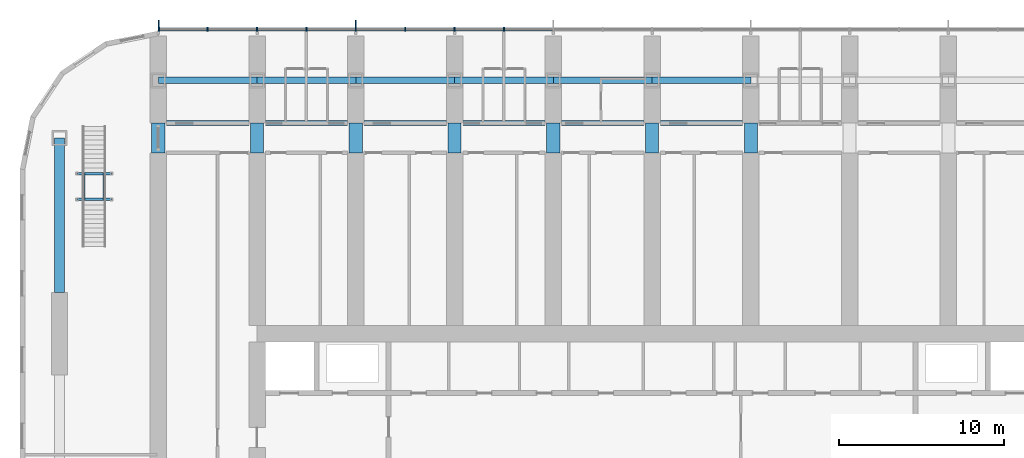
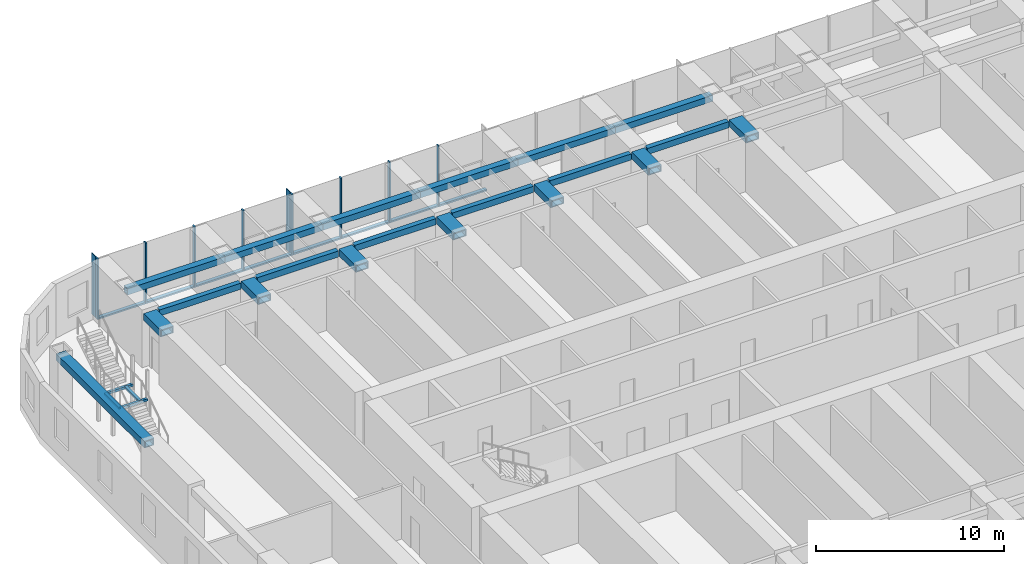
# One storey, part 6 of 26: 24 beams, 18 members, 1 element without a shape of its own.
"""IFC4 building model written with IfcOpenShell, lengths in metres."""

from ifc_helpers import new_model, si_unit, direction, frame, origin, origin_2d, place, context, subcontext, project, spatial, rectangle, hollow_rectangle, extrude, material, material_profile, profile_set, type_object, element, aggregate, save


model = new_model("IFC4")

# Units and contexts
model_context = context("Model", 3, precision=1e-05, world=origin(), true_north=direction((0.0, 1.0)))
body_context = subcontext(model_context, "Body", "Model", "MODEL_VIEW")
ifc_project = project(units=[si_unit("LENGTHUNIT", "METRE"), si_unit("AREAUNIT", "SQUARE_METRE"), si_unit("VOLUMEUNIT", "CUBIC_METRE"), si_unit("PLANEANGLEUNIT", "RADIAN"), si_unit("MASSUNIT", "GRAM", prefix="KILO")], contexts=[model_context])

# Site, building, storey
site_placement = place(None, origin())
site = spatial("IfcSite", under=ifc_project, at=site_placement, CompositionType="ELEMENT")
building_placement = place(site_placement, origin())
building = spatial("IfcBuilding", under=site, at=building_placement, Name="Orbita Commons", CompositionType="ELEMENT")
storey_placement = place(building_placement, frame((0.0, 0.0, 53.949951171875)))
storey = spatial("IfcBuildingStorey", under=building, at=storey_placement, Name="L13", CompositionType="ELEMENT", Elevation=53.949951171875)

# Curtain wall, members
ifc_material_1 = material(Name="Anodised aluminium frame, pale silver", Category="aluminium")
curtain_wall_type = type_object("IfcCurtainWallType", Name="Unitised curtain wall CW-T, vision and spandrel", PredefinedType="NOTDEFINED", material=ifc_material_1)
curtain_wall_placement = place(storey_placement, origin())
curtain_wall = element("IfcCurtainWall", 1, at=curtain_wall_placement, inside=storey, type_object=curtain_wall_type, Name="Curtain wall north L13", PredefinedType="NOTDEFINED")
ifc_material_2 = material(Name="Anodised aluminium, pale silver", Category="aluminium")
ifc_material_profile_1 = material_profile(ifc_material_2, rectangle(XDim=0.080078125, YDim=0.219970703125, at=origin_2d()), Name="AL 80x220")
ifc_profile_set_1 = profile_set([ifc_material_profile_1], Name="Anodised aluminium, pale silver")
member_type_1 = type_object("IfcMemberType", Name="Curtain wall mullion 80x220", PredefinedType="MULLION", material=ifc_profile_set_1)
member_1_placement = place(storey_placement, frame((33.0, 56.7099609375, -0.449951171875), z_axis=(0.0, 0.0, 1.0), x_axis=(-1.0, 0.0, 0.0)))
member_1 = element("IfcMember", 2, at=member_1_placement, type_object=member_type_1, Name="Mullion 14 CW-L13-N", PredefinedType="MULLION", context=body_context, shape_type="SweptSolid", body=[
    extrude(rectangle(XDim=0.080078125, YDim=0.219970703125, at=origin_2d()), origin(), (0.0, 0.0, 1.0), 3.949951171875),
])
member_2_placement = place(storey_placement, frame((30.0, 56.7099609375, -0.449951171875), z_axis=(0.0, 0.0, 1.0), x_axis=(-1.0, 0.0, 0.0)))
member_2 = element("IfcMember", 3, at=member_2_placement, type_object=member_type_1, Name="Mullion 15 CW-L13-N", PredefinedType="MULLION", context=body_context, shape_type="SweptSolid", body=[
    extrude(rectangle(XDim=0.080078125, YDim=0.219970703125, at=origin_2d()), origin(), (0.0, 0.0, 1.0), 3.949951171875),
])
member_3_placement = place(storey_placement, frame((27.0, 56.7099609375, -0.449951171875), z_axis=(0.0, 0.0, 1.0), x_axis=(-1.0, 0.0, 0.0)))
member_3 = element("IfcMember", 4, at=member_3_placement, type_object=member_type_1, Name="Mullion 16 CW-L13-N", PredefinedType="MULLION", context=body_context, shape_type="SweptSolid", body=[
    extrude(rectangle(XDim=0.080078125, YDim=0.219970703125, at=origin_2d()), origin(), (0.0, 0.0, 1.0), 3.949951171875),
])
member_4_placement = place(storey_placement, frame((24.0, 56.7099609375, -0.449951171875), z_axis=(0.0, 0.0, 1.0), x_axis=(-1.0, 0.0, 0.0)))
member_4 = element("IfcMember", 5, at=member_4_placement, type_object=member_type_1, Name="Mullion 17 CW-L13-N", PredefinedType="MULLION", context=body_context, shape_type="SweptSolid", body=[
    extrude(rectangle(XDim=0.080078125, YDim=0.219970703125, at=origin_2d()), origin(), (0.0, 0.0, 1.0), 3.949951171875),
])
member_5_placement = place(storey_placement, frame((21.0, 56.7099609375, -0.449951171875), z_axis=(0.0, 0.0, 1.0), x_axis=(-1.0, 0.0, 0.0)))
member_5 = element("IfcMember", 6, at=member_5_placement, type_object=member_type_1, Name="Mullion 18 CW-L13-N", PredefinedType="MULLION", context=body_context, shape_type="SweptSolid", body=[
    extrude(rectangle(XDim=0.080078125, YDim=0.219970703125, at=origin_2d()), origin(), (0.0, 0.0, 1.0), 3.949951171875),
])
member_6_placement = place(storey_placement, frame((18.0, 56.7099609375, -0.449951171875), z_axis=(0.0, 0.0, 1.0), x_axis=(-1.0, 0.0, 0.0)))
member_6 = element("IfcMember", 7, at=member_6_placement, type_object=member_type_1, Name="Mullion 19 CW-L13-N", PredefinedType="MULLION", context=body_context, shape_type="SweptSolid", body=[
    extrude(rectangle(XDim=0.080078125, YDim=0.219970703125, at=origin_2d()), origin(), (0.0, 0.0, 1.0), 3.949951171875),
])
member_7_placement = place(storey_placement, frame((15.0, 56.7099609375, -0.449951171875), z_axis=(0.0, 0.0, 1.0), x_axis=(-1.0, 0.0, 0.0)))
member_7 = element("IfcMember", 8, at=member_7_placement, type_object=member_type_1, Name="Mullion 20 CW-L13-N", PredefinedType="MULLION", context=body_context, shape_type="SweptSolid", body=[
    extrude(rectangle(XDim=0.080078125, YDim=0.219970703125, at=origin_2d()), origin(), (0.0, 0.0, 1.0), 3.949951171875),
])
member_8_placement = place(storey_placement, frame((12.0400390625, 56.7099609375, -0.449951171875), z_axis=(0.0, 0.0, 1.0), x_axis=(-1.0, 0.0, 0.0)))
member_8 = element("IfcMember", 9, at=member_8_placement, type_object=member_type_1, Name="Mullion 21 CW-L13-N", PredefinedType="MULLION", context=body_context, shape_type="SweptSolid", body=[
    extrude(rectangle(XDim=0.080078125, YDim=0.219970703125, at=origin_2d()), origin(), (0.0, 0.0, 1.0), 3.949951171875),
])
ifc_material_3 = material(Name="Anodised aluminium, pale silver", Category="aluminium")
ifc_material_profile_2 = material_profile(ifc_material_3, rectangle(XDim=0.219970703125, YDim=0.10009765625, at=origin_2d()), Name="AL 220x100")
ifc_profile_set_2 = profile_set([ifc_material_profile_2], Name="Anodised aluminium, pale silver")
member_type_2 = type_object("IfcMemberType", Name="Curtain wall stack transom 220x100", PredefinedType="USERDEFINED", material=ifc_profile_set_2)
member_9_placement = place(storey_placement, frame((35.9599609375, 56.7099609375, -0.39990234375), z_axis=(-1.0, 0.0, 0.0), x_axis=(0.0, -1.0, 0.0)))
member_9 = element("IfcMember", 10, at=member_9_placement, type_object=member_type_2, Name="Transom 13.1 CW-L13-N", ObjectType="TRANSOM", PredefinedType="USERDEFINED", context=body_context, shape_type="SweptSolid", body=[
    extrude(rectangle(XDim=0.219970703125, YDim=0.10009765625, at=origin_2d()), origin(), (0.0, 0.0, 1.0), 2.919921875),
])
member_10_placement = place(storey_placement, frame((32.9599609375, 56.7099609375, -0.39990234375), z_axis=(-1.0, 0.0, 0.0), x_axis=(0.0, -1.0, 0.0)))
member_10 = element("IfcMember", 11, at=member_10_placement, type_object=member_type_2, Name="Transom 14.1 CW-L13-N", ObjectType="TRANSOM", PredefinedType="USERDEFINED", context=body_context, shape_type="SweptSolid", body=[
    extrude(rectangle(XDim=0.219970703125, YDim=0.10009765625, at=origin_2d()), origin(), (0.0, 0.0, 1.0), 2.919921875),
])
member_11_placement = place(storey_placement, frame((29.9599609375, 56.7099609375, -0.39990234375), z_axis=(-1.0, 0.0, 0.0), x_axis=(0.0, -1.0, 0.0)))
member_11 = element("IfcMember", 12, at=member_11_placement, type_object=member_type_2, Name="Transom 15.1 CW-L13-N", ObjectType="TRANSOM", PredefinedType="USERDEFINED", context=body_context, shape_type="SweptSolid", body=[
    extrude(rectangle(XDim=0.219970703125, YDim=0.10009765625, at=origin_2d()), origin(), (0.0, 0.0, 1.0), 2.919921875),
])
member_12_placement = place(storey_placement, frame((26.9599609375, 56.7099609375, -0.39990234375), z_axis=(-1.0, 0.0, 0.0), x_axis=(0.0, -1.0, 0.0)))
member_12 = element("IfcMember", 13, at=member_12_placement, type_object=member_type_2, Name="Transom 16.1 CW-L13-N", ObjectType="TRANSOM", PredefinedType="USERDEFINED", context=body_context, shape_type="SweptSolid", body=[
    extrude(rectangle(XDim=0.219970703125, YDim=0.10009765625, at=origin_2d()), origin(), (0.0, 0.0, 1.0), 2.919921875),
])
member_13_placement = place(storey_placement, frame((23.9599609375, 56.7099609375, -0.39990234375), z_axis=(-1.0, 0.0, 0.0), x_axis=(0.0, -1.0, 0.0)))
member_13 = element("IfcMember", 14, at=member_13_placement, type_object=member_type_2, Name="Transom 17.1 CW-L13-N", ObjectType="TRANSOM", PredefinedType="USERDEFINED", context=body_context, shape_type="SweptSolid", body=[
    extrude(rectangle(XDim=0.219970703125, YDim=0.10009765625, at=origin_2d()), origin(), (0.0, 0.0, 1.0), 2.919921875),
])
member_14_placement = place(storey_placement, frame((20.9599609375, 56.7099609375, -0.39990234375), z_axis=(-1.0, 0.0, 0.0), x_axis=(0.0, -1.0, 0.0)))
member_14 = element("IfcMember", 15, at=member_14_placement, type_object=member_type_2, Name="Transom 18.1 CW-L13-N", ObjectType="TRANSOM", PredefinedType="USERDEFINED", context=body_context, shape_type="SweptSolid", body=[
    extrude(rectangle(XDim=0.219970703125, YDim=0.10009765625, at=origin_2d()), origin(), (0.0, 0.0, 1.0), 2.919921875),
])
member_15_placement = place(storey_placement, frame((17.9599609375, 56.7099609375, -0.39990234375), z_axis=(-1.0, 0.0, 0.0), x_axis=(0.0, -1.0, 0.0)))
member_15 = element("IfcMember", 16, at=member_15_placement, type_object=member_type_2, Name="Transom 19.1 CW-L13-N", ObjectType="TRANSOM", PredefinedType="USERDEFINED", context=body_context, shape_type="SweptSolid", body=[
    extrude(rectangle(XDim=0.219970703125, YDim=0.10009765625, at=origin_2d()), origin(), (0.0, 0.0, 1.0), 2.919921875),
])
member_16_placement = place(storey_placement, frame((14.9599609375, 56.7099609375, -0.39990234375), z_axis=(-1.0, 0.0, 0.0), x_axis=(0.0, -1.0, 0.0)))
member_16 = element("IfcMember", 17, at=member_16_placement, type_object=member_type_2, Name="Transom 20.1 CW-L13-N", ObjectType="TRANSOM", PredefinedType="USERDEFINED", context=body_context, shape_type="SweptSolid", body=[
    extrude(rectangle(XDim=0.219970703125, YDim=0.10009765625, at=origin_2d()), origin(), (0.0, 0.0, 1.0), 2.8798828125),
])

# Beams
ifc_material_4 = material(Name="Steel ASTM A992", Category="steel")
ifc_material_profile_3 = material_profile(ifc_material_4, hollow_rectangle(XDim=0.14990234375, YDim=0.14990234375, WallThickness=0.008056640625, at=origin_2d()), Name="SHS 150x150x8")
ifc_profile_set_3 = profile_set([ifc_material_profile_3], Name="Steel ASTM A992")
beam_type_1 = type_object("IfcBeamType", Name="Landing frame beam SHS 150x150x8", PredefinedType="BEAM", material=ifc_profile_set_3)
for number, where, z_axis, x_axis, name in (
    (18, (7.050048828125, 46.375, 1.60009765625), (1.0, 0.0, 0.0), (0.0, 1.0, 0.0), "Neighbourhood stair L13 to L14 landing frame beam 1"),
    (19, (7.050048828125, 47.93505859375, 1.60009765625), (1.0, 0.0, 0.0), (0.0, 1.0, 0.0), "Neighbourhood stair L13 to L14 landing frame beam 2"),
):
    element("IfcBeam", number, at=place(storey_placement, frame(where, z_axis=z_axis, x_axis=x_axis)), inside=storey, type_object=beam_type_1, Name=name, PredefinedType="BEAM", context=body_context, shape_type="SweptSolid", body=[
        extrude(hollow_rectangle(XDim=0.14990234375, YDim=0.14990234375, WallThickness=0.008056640625, at=origin_2d()), origin(), (0.0, 0.0, 1.0), 2.099853515625),
    ])
for number, where, z_axis, x_axis, name in (
    (20, (7.47509765625, 46.375, 1.60009765625), (0.0, 1.0, 0.0), (-1.0, 0.0, 0.0), "Neighbourhood stair L13 to L14 landing frame beam 3"),
    (21, (8.72509765625, 46.375, 1.60009765625), (0.0, 1.0, 0.0), (-1.0, 0.0, 0.0), "Neighbourhood stair L13 to L14 landing frame beam 4"),
):
    element("IfcBeam", number, at=place(storey_placement, frame(where, z_axis=z_axis, x_axis=x_axis)), inside=storey, type_object=beam_type_1, Name=name, PredefinedType="BEAM", context=body_context, shape_type="SweptSolid", body=[
        extrude(hollow_rectangle(XDim=0.14990234375, YDim=0.14990234375, WallThickness=0.008056640625, at=origin_2d()), origin(), (0.0, 0.0, 1.0), 1.56005859375),
    ])
ifc_material_5 = material(Name="Steel ASTM A572 Gr 50 welded plate", Category="steel")
ifc_material_profile_4 = material_profile(ifc_material_5, hollow_rectangle(XDim=0.300048828125, YDim=0.39990234375, WallThickness=0.0400390625, at=origin_2d()), Name="BOX 400x300x40")
ifc_profile_set_4 = profile_set([ifc_material_profile_4], Name="Steel ASTM A572 Gr 50 welded plate")
beam_type_2 = type_object("IfcBeamType", Name="Steel corridor link BOX 400x300x40", PredefinedType="BEAM", material=ifc_profile_set_4)
for number, where, z_axis, x_axis, name in (
    (22, (12.5, 51.0, 3.300048828125), (1.0, 0.0, 0.0), (0.0, 1.0, 0.0), "Corridor beam NB 3-4 L13"),
    (23, (18.5, 51.0, 3.300048828125), (1.0, 0.0, 0.0), (0.0, 1.0, 0.0), "Corridor beam NB 4-5 L13"),
    (24, (24.5, 51.0, 3.300048828125), (1.0, 0.0, 0.0), (0.0, 1.0, 0.0), "Corridor beam NB 5-6 L13"),
    (25, (30.5, 51.0, 3.300048828125), (1.0, 0.0, 0.0), (0.0, 1.0, 0.0), "Corridor beam NB 6-7 L13"),
    (26, (36.5, 51.0, 3.300048828125), (1.0, 0.0, 0.0), (0.0, 1.0, 0.0), "Corridor beam NB 7-8 L13"),
    (27, (42.5, 51.0, 3.300048828125), (1.0, 0.0, 0.0), (0.0, 1.0, 0.0), "Corridor beam NB 8-9 L13"),
):
    element("IfcBeam", number, at=place(storey_placement, frame(where, z_axis=z_axis, x_axis=x_axis)), inside=storey, type_object=beam_type_2, Name=name, PredefinedType="BEAM", context=body_context, shape_type="SweptSolid", body=[
        extrude(hollow_rectangle(XDim=0.300048828125, YDim=0.39990234375, WallThickness=0.0400390625, at=origin_2d()), origin(), (0.0, 0.0, 1.0), 5.0),
    ])
ifc_material_6 = material(Name="Steel ASTM A572 Gr 50 welded plate", Category="steel")
ifc_material_profile_5 = material_profile(ifc_material_6, hollow_rectangle(XDim=0.800048828125, YDim=0.449951171875, WallThickness=0.06005859375, at=origin_2d()), Name="BOX 450x800x60")
ifc_profile_set_5 = profile_set([ifc_material_profile_5], Name="Steel ASTM A572 Gr 50 welded plate")
beam_type_3 = type_object("IfcBeamType", Name="Steel coupling link BOX 450x800x60", PredefinedType="LINTEL", material=ifc_profile_set_5)
for number, where, z_axis, x_axis, name in (
    (28, (12.0, 49.199951171875, 3.275146484375), (0.0, 1.0, 0.0), (-1.0, 0.0, 0.0), "Coupling beam 3 north L13"),
    (29, (18.0, 49.199951171875, 3.275146484375), (0.0, 1.0, 0.0), (-1.0, 0.0, 0.0), "Coupling beam 4 north L13"),
    (30, (24.0, 49.199951171875, 3.275146484375), (0.0, 1.0, 0.0), (-1.0, 0.0, 0.0), "Coupling beam 5 north L13"),
    (31, (30.0, 49.199951171875, 3.275146484375), (0.0, 1.0, 0.0), (-1.0, 0.0, 0.0), "Coupling beam 6 north L13"),
    (32, (36.0, 49.199951171875, 3.275146484375), (0.0, 1.0, 0.0), (-1.0, 0.0, 0.0), "Coupling beam 7 north L13"),
    (33, (42.0, 49.199951171875, 3.275146484375), (0.0, 1.0, 0.0), (-1.0, 0.0, 0.0), "Coupling beam 8 north L13"),
    (34, (48.0, 49.199951171875, 3.275146484375), (0.0, 1.0, 0.0), (-1.0, 0.0, 0.0), "Coupling beam 9 north L13"),
):
    element("IfcBeam", number, at=place(storey_placement, frame(where, z_axis=z_axis, x_axis=x_axis)), inside=storey, type_object=beam_type_3, Name=name, PredefinedType="LINTEL", context=body_context, shape_type="SweptSolid", body=[
        extrude(hollow_rectangle(XDim=0.800048828125, YDim=0.449951171875, WallThickness=0.06005859375, at=origin_2d()), origin(), (0.0, 0.0, 1.0), 1.800048828125),
    ])
ifc_material_7 = material(Name="Steel ASTM A572 Gr 50 welded plate", Category="steel")
ifc_material_profile_6 = material_profile(ifc_material_7, hollow_rectangle(XDim=0.60009765625, YDim=0.449951171875, WallThickness=0.06005859375, at=origin_2d()), Name="BOX 450x600x60")
ifc_profile_set_6 = profile_set([ifc_material_profile_6], Name="Steel ASTM A572 Gr 50 welded plate")
beam_type_4 = type_object("IfcBeamType", Name="Steel end frame link BOX 450x600x60", PredefinedType="BEAM", material=ifc_profile_set_6)
beam_placement = place(storey_placement, frame((6.0, 40.699951171875, 3.275146484375), z_axis=(0.0, 1.0, 0.0), x_axis=(-1.0, 0.0, 0.0)))
element("IfcBeam", 35, at=beam_placement, inside=storey, type_object=beam_type_4, Name="End frame beam 2 D-E L13", PredefinedType="BEAM", context=body_context, shape_type="SweptSolid", body=[
    extrude(hollow_rectangle(XDim=0.60009765625, YDim=0.449951171875, WallThickness=0.06005859375, at=origin_2d()), origin(), (0.0, 0.0, 1.0), 9.400146484375),
])
ifc_material_8 = material(Name="Steel ASTM A572 Gr 50 welded plate", Category="steel")
ifc_material_profile_7 = material_profile(ifc_material_8, hollow_rectangle(XDim=0.39990234375, YDim=0.39990234375, WallThickness=0.0400390625, at=origin_2d()), Name="BOX 400x400x40")
ifc_profile_set_7 = profile_set([ifc_material_profile_7], Name="Steel ASTM A572 Gr 50 welded plate")
beam_type_5 = type_object("IfcBeamType", Name="Steel spandrel BOX 400x400x40", PredefinedType="SPANDREL", material=ifc_profile_set_7)
for number, where, z_axis, x_axis, name in (
    (36, (12.0, 53.60009765625, 3.300048828125), (1.0, 0.0, 0.0), (0.0, 1.0, 0.0), "Spandrel beam E 3-4 L13"),
    (37, (18.0, 53.60009765625, 3.300048828125), (1.0, 0.0, 0.0), (0.0, 1.0, 0.0), "Spandrel beam E 4-5 L13"),
    (38, (24.0, 53.60009765625, 3.300048828125), (1.0, 0.0, 0.0), (0.0, 1.0, 0.0), "Spandrel beam E 5-6 L13"),
    (39, (30.0, 53.60009765625, 3.300048828125), (1.0, 0.0, 0.0), (0.0, 1.0, 0.0), "Spandrel beam E 6-7 L13"),
    (40, (36.0, 53.60009765625, 3.300048828125), (1.0, 0.0, 0.0), (0.0, 1.0, 0.0), "Spandrel beam E 7-8 L13"),
    (41, (42.0, 53.60009765625, 3.300048828125), (1.0, 0.0, 0.0), (0.0, 1.0, 0.0), "Spandrel beam E 8-9 L13"),
):
    element("IfcBeam", number, at=place(storey_placement, frame(where, z_axis=z_axis, x_axis=x_axis)), inside=storey, type_object=beam_type_5, Name=name, PredefinedType="SPANDREL", context=body_context, shape_type="SweptSolid", body=[
        extrude(hollow_rectangle(XDim=0.39990234375, YDim=0.39990234375, WallThickness=0.0400390625, at=origin_2d()), origin(), (0.0, 0.0, 1.0), 6.0),
    ])

# Member
ifc_material_9 = material(Name="Anodised aluminium, pale silver", Category="aluminium")
ifc_material_profile_8 = material_profile(ifc_material_9, rectangle(XDim=0.06005859375, YDim=0.449951171875, at=origin_2d()), Name="FIN 60x450")
ifc_profile_set_8 = profile_set([ifc_material_profile_8], Name="Anodised aluminium, pale silver")
member_type_3 = type_object("IfcMemberType", Name="Vertical fin 60x450 pale aluminium", PredefinedType="USERDEFINED", material=ifc_profile_set_8)
member_17_placement = place(storey_placement, frame((24.0, 57.044921875, -0.449951171875), z_axis=(0.0, 0.0, 1.0), x_axis=(-1.0, 0.0, 0.0)))
member_17 = element("IfcMember", 42, at=member_17_placement, type_object=member_type_3, Name="Fin 17 CW-L13-N", ObjectType="FIN", PredefinedType="USERDEFINED", context=body_context, shape_type="SweptSolid", body=[
    extrude(rectangle(XDim=0.06005859375, YDim=0.449951171875, at=origin_2d()), origin(), (0.0, 0.0, 1.0), 3.949951171875),
])

member_18_placement = place(storey_placement, frame((12.0400390625, 57.044921875, -0.449951171875), z_axis=(0.0, 0.0, 1.0), x_axis=(-1.0, 0.0, 0.0)))
member_18 = element("IfcMember", 43, at=member_18_placement, type_object=member_type_3, Name="Fin 21 CW-L13-N", ObjectType="FIN", PredefinedType="USERDEFINED", context=body_context, shape_type="SweptSolid", body=[
    extrude(rectangle(XDim=0.06005859375, YDim=0.449951171875, at=origin_2d()), origin(), (0.0, 0.0, 1.0), 3.949951171875),
])

aggregate(curtain_wall, [member_1, member_2, member_3, member_4, member_17, member_5, member_6, member_7, member_8, member_18, member_9, member_10, member_11, member_12, member_13, member_14, member_15, member_16])

save(model, "model.ifc")
